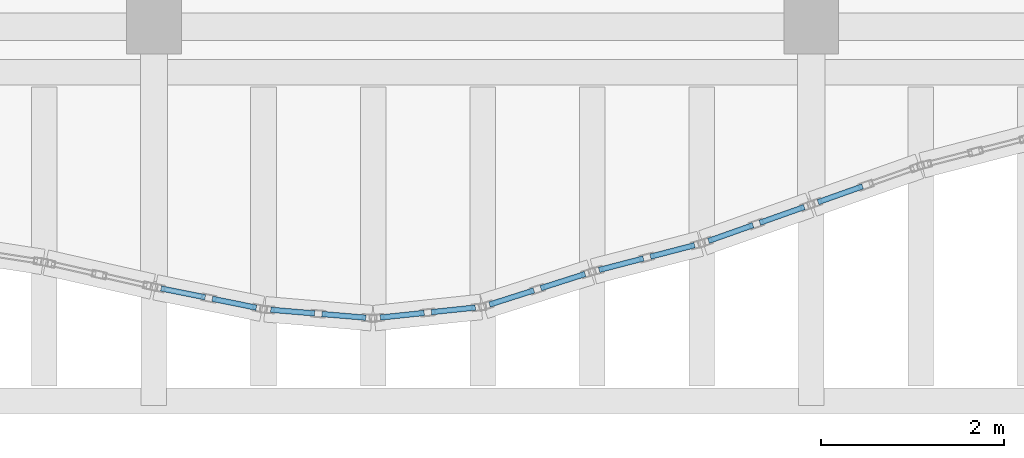
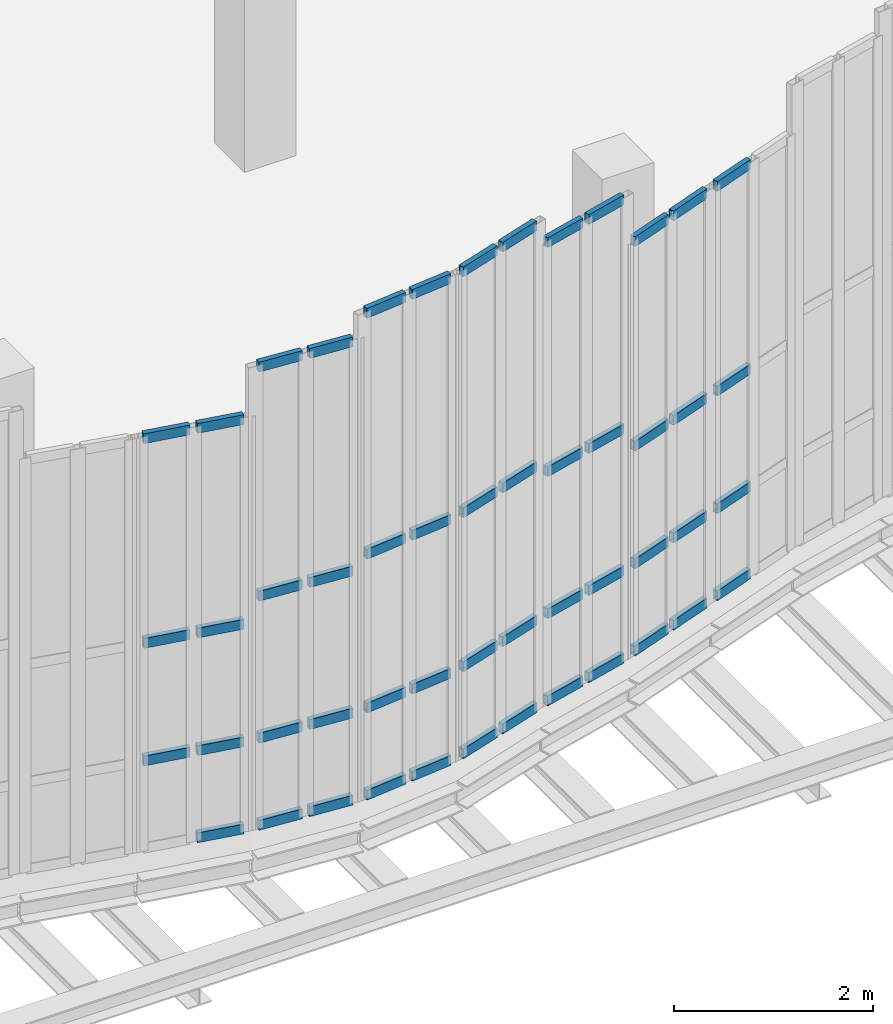
# One storey, part 42 of 76: 51 members, 7 elements without a shape of their own.
"""IFC4 building model written with IfcOpenShell, lengths in metres."""

from ifc_helpers import new_model, si_unit, direction, frame, origin, origin_2d, place, context, subcontext, project, spatial, hollow_rectangle, extrude, material, layer, layer_set, material_profile, profile_set, type_object, element, aggregate, save


model = new_model("IFC4")

# Units and contexts
model_context = context("Model", 3, precision=1e-05, world=origin(), true_north=direction((0.0, 1.0)))
body_context = subcontext(model_context, "Body", "Model", "MODEL_VIEW")
ifc_project = project(units=[si_unit("LENGTHUNIT", "METRE"), si_unit("AREAUNIT", "SQUARE_METRE"), si_unit("VOLUMEUNIT", "CUBIC_METRE"), si_unit("PLANEANGLEUNIT", "RADIAN"), si_unit("MASSUNIT", "GRAM", prefix="KILO"), si_unit("THERMODYNAMICTEMPERATUREUNIT", "KELVIN"), si_unit("POWERUNIT", "WATT")], contexts=[model_context])

# Site, building, storey
site_placement = place(None, origin())
site = spatial("IfcSite", under=ifc_project, at=site_placement, CompositionType="ELEMENT")
building_placement = place(site_placement, origin())
building = spatial("IfcBuilding", under=site, at=building_placement, Name="Kaldorven Railside Theatre", CompositionType="ELEMENT")
storey_placement = place(building_placement, frame((0.0, 0.0, 14.39990234375)))
storey = spatial("IfcBuildingStorey", under=building, at=storey_placement, Name="L03", CompositionType="ELEMENT", Elevation=14.39990234375)

# Curtain wall, members
ifc_material_1 = material(Name="Low-E laminated solar-control glass", Category="glass")
ifc_layer_1 = layer(ifc_material_1, 0.159912109375, Name="Low-E laminated solar-control glass")
ifc_layer_set_1 = layer_set([ifc_layer_1], Name="Low-E laminated solar-control glass")
curtain_wall_type_1 = type_object("IfcCurtainWallType", Name="CWT-20", PredefinedType="USERDEFINED", material=ifc_layer_set_1)
curtain_wall_1_placement = place(storey_placement, origin())
curtain_wall_1 = element("IfcCurtainWall", 1, at=curtain_wall_1_placement, inside=storey, type_object=curtain_wall_type_1, Name="Sinusoidal Fluted Curtain Wall CW-L03-S43", ObjectType="FLUTED GLAZING", PredefinedType="USERDEFINED")
ifc_material_2 = material(Name="Anodised bronze aluminium", Category="aluminium")
ifc_material_profile = material_profile(ifc_material_2, hollow_rectangle(XDim=0.06005859375, YDim=0.1201171875, WallThickness=0.0048828125, at=origin_2d()), Name="RHS 120x60x5")
ifc_profile_set = profile_set([ifc_material_profile], Name="Anodised bronze aluminium")
member_type = type_object("IfcMemberType", Name="CWT-120", PredefinedType="USERDEFINED", material=ifc_profile_set)
member_1_placement = place(storey_placement, frame((87.2783203125, 16.33154296875, 1.10009765625), z_axis=(0.980120145941, -0.198404887842, 0.0), x_axis=(0.198404887842, 0.980120145941, 0.0)))
member_1 = element("IfcMember", 2, at=member_1_placement, type_object=member_type, Name="CW-L03-S43 transom 1.2", ObjectType="TRANSOM", PredefinedType="USERDEFINED", context=body_context, shape_type="SweptSolid", body=[
    extrude(hollow_rectangle(XDim=0.06005859375, YDim=0.1201171875, WallThickness=0.0048828125, at=origin_2d()), origin(), (0.0, 0.0, 1.0), 0.4921875),
])
member_2_placement = place(storey_placement, frame((87.2783203125, 16.33154296875, 2.545166015625), z_axis=(0.980120145941, -0.198404887842, 0.0), x_axis=(0.198404887842, 0.980120145941, 0.0)))
member_2 = element("IfcMember", 3, at=member_2_placement, type_object=member_type, Name="CW-L03-S43 transom 1.3", ObjectType="TRANSOM", PredefinedType="USERDEFINED", context=body_context, shape_type="SweptSolid", body=[
    extrude(hollow_rectangle(XDim=0.06005859375, YDim=0.1201171875, WallThickness=0.0048828125, at=origin_2d()), origin(), (0.0, 0.0, 1.0), 0.4921875),
])
member_3_placement = place(storey_placement, frame((87.2783203125, 16.33154296875, 5.06005859375), z_axis=(0.980120145941, -0.198404887842, 0.0), x_axis=(0.198404887842, 0.980120145941, 0.0)))
member_3 = element("IfcMember", 4, at=member_3_placement, type_object=member_type, Name="CW-L03-S43 transom 1.4", ObjectType="TRANSOM", PredefinedType="USERDEFINED", context=body_context, shape_type="SweptSolid", body=[
    extrude(hollow_rectangle(XDim=0.06005859375, YDim=0.1201171875, WallThickness=0.0048828125, at=origin_2d()), origin(), (0.0, 0.0, 1.0), 0.4921875),
])
member_4_placement = place(storey_placement, frame((87.839111328125, 16.218017578125, 0.030029296875), z_axis=(0.980120145941, -0.198404887842, 0.0), x_axis=(0.198404887842, 0.980120145941, 0.0)))
member_4 = element("IfcMember", 5, at=member_4_placement, type_object=member_type, Name="CW-L03-S43 transom 2.1", ObjectType="TRANSOM", PredefinedType="USERDEFINED", context=body_context, shape_type="SweptSolid", body=[
    extrude(hollow_rectangle(XDim=0.06005859375, YDim=0.1201171875, WallThickness=0.0048828125, at=origin_2d()), origin(), (0.0, 0.0, 1.0), 0.4921875),
])
member_5_placement = place(storey_placement, frame((87.839111328125, 16.218017578125, 1.10009765625), z_axis=(0.980120145941, -0.198404887842, 0.0), x_axis=(0.198404887842, 0.980120145941, 0.0)))
member_5 = element("IfcMember", 6, at=member_5_placement, type_object=member_type, Name="CW-L03-S43 transom 2.2", ObjectType="TRANSOM", PredefinedType="USERDEFINED", context=body_context, shape_type="SweptSolid", body=[
    extrude(hollow_rectangle(XDim=0.06005859375, YDim=0.1201171875, WallThickness=0.0048828125, at=origin_2d()), origin(), (0.0, 0.0, 1.0), 0.4921875),
])
member_6_placement = place(storey_placement, frame((87.839111328125, 16.218017578125, 2.545166015625), z_axis=(0.980120145941, -0.198404887842, 0.0), x_axis=(0.198404887842, 0.980120145941, 0.0)))
member_6 = element("IfcMember", 7, at=member_6_placement, type_object=member_type, Name="CW-L03-S43 transom 2.3", ObjectType="TRANSOM", PredefinedType="USERDEFINED", context=body_context, shape_type="SweptSolid", body=[
    extrude(hollow_rectangle(XDim=0.06005859375, YDim=0.1201171875, WallThickness=0.0048828125, at=origin_2d()), origin(), (0.0, 0.0, 1.0), 0.4921875),
])
member_7_placement = place(storey_placement, frame((87.839111328125, 16.218017578125, 5.06005859375), z_axis=(0.980120145941, -0.198404887842, 0.0), x_axis=(0.198404887842, 0.980120145941, 0.0)))
member_7 = element("IfcMember", 8, at=member_7_placement, type_object=member_type, Name="CW-L03-S43 transom 2.4", ObjectType="TRANSOM", PredefinedType="USERDEFINED", context=body_context, shape_type="SweptSolid", body=[
    extrude(hollow_rectangle(XDim=0.06005859375, YDim=0.1201171875, WallThickness=0.0048828125, at=origin_2d()), origin(), (0.0, 0.0, 1.0), 0.4921875),
])
aggregate(curtain_wall_1, [member_1, member_2, member_3, member_4, member_5, member_6, member_7])

ifc_layer_2 = layer(ifc_material_1, 0.159912109375, Name="Low-E laminated solar-control glass")
ifc_layer_set_2 = layer_set([ifc_layer_2], Name="Low-E laminated solar-control glass")
curtain_wall_type_2 = type_object("IfcCurtainWallType", Name="CWT-21", PredefinedType="USERDEFINED", material=ifc_layer_set_2)
curtain_wall_2_placement = place(storey_placement, origin())
curtain_wall_2 = element("IfcCurtainWall", 9, at=curtain_wall_2_placement, inside=storey, type_object=curtain_wall_type_2, Name="Sinusoidal Fluted Curtain Wall CW-L03-S44", ObjectType="FLUTED GLAZING", PredefinedType="USERDEFINED")
member_8_placement = place(storey_placement, frame((88.479736328125, 16.09765625, 0.030029296875), z_axis=(0.996545758245, -0.083045479854, 0.0), x_axis=(0.083045479854, 0.996545758245, 0.0)))
member_8 = element("IfcMember", 10, at=member_8_placement, type_object=member_type, Name="CW-L03-S44 transom 1.1", ObjectType="TRANSOM", PredefinedType="USERDEFINED", context=body_context, shape_type="SweptSolid", body=[
    extrude(hollow_rectangle(XDim=0.06005859375, YDim=0.1201171875, WallThickness=0.0048828125, at=origin_2d()), origin(), (0.0, 0.0, 1.0), 0.482177734375),
])
member_9_placement = place(storey_placement, frame((88.479736328125, 16.09765625, 1.10009765625), z_axis=(0.996545758245, -0.083045479854, 0.0), x_axis=(0.083045479854, 0.996545758245, 0.0)))
member_9 = element("IfcMember", 11, at=member_9_placement, type_object=member_type, Name="CW-L03-S44 transom 1.2", ObjectType="TRANSOM", PredefinedType="USERDEFINED", context=body_context, shape_type="SweptSolid", body=[
    extrude(hollow_rectangle(XDim=0.06005859375, YDim=0.1201171875, WallThickness=0.0048828125, at=origin_2d()), origin(), (0.0, 0.0, 1.0), 0.482177734375),
])
member_10_placement = place(storey_placement, frame((88.479736328125, 16.09765625, 2.84521484375), z_axis=(0.996545758245, -0.083045479854, 0.0), x_axis=(0.083045479854, 0.996545758245, 0.0)))
member_10 = element("IfcMember", 12, at=member_10_placement, type_object=member_type, Name="CW-L03-S44 transom 1.3", ObjectType="TRANSOM", PredefinedType="USERDEFINED", context=body_context, shape_type="SweptSolid", body=[
    extrude(hollow_rectangle(XDim=0.06005859375, YDim=0.1201171875, WallThickness=0.0048828125, at=origin_2d()), origin(), (0.0, 0.0, 1.0), 0.482177734375),
])
member_11_placement = place(storey_placement, frame((88.479736328125, 16.09765625, 5.66015625), z_axis=(0.996545758245, -0.083045479854, 0.0), x_axis=(0.083045479854, 0.996545758245, 0.0)))
member_11 = element("IfcMember", 13, at=member_11_placement, type_object=member_type, Name="CW-L03-S44 transom 1.4", ObjectType="TRANSOM", PredefinedType="USERDEFINED", context=body_context, shape_type="SweptSolid", body=[
    extrude(hollow_rectangle(XDim=0.06005859375, YDim=0.1201171875, WallThickness=0.0048828125, at=origin_2d()), origin(), (0.0, 0.0, 1.0), 0.482177734375),
])
member_12_placement = place(storey_placement, frame((89.039794921875, 16.051025390625, 0.030029296875), z_axis=(0.996503726253, -0.083548330707, 0.0), x_axis=(0.083548330707, 0.996503726253, 0.0)))
member_12 = element("IfcMember", 14, at=member_12_placement, type_object=member_type, Name="CW-L03-S44 transom 2.1", ObjectType="TRANSOM", PredefinedType="USERDEFINED", context=body_context, shape_type="SweptSolid", body=[
    extrude(hollow_rectangle(XDim=0.06005859375, YDim=0.1201171875, WallThickness=0.0048828125, at=origin_2d()), origin(), (0.0, 0.0, 1.0), 0.482177734375),
])
member_13_placement = place(storey_placement, frame((89.039794921875, 16.051025390625, 1.10009765625), z_axis=(0.996503726253, -0.083548330707, 0.0), x_axis=(0.083548330707, 0.996503726253, 0.0)))
member_13 = element("IfcMember", 15, at=member_13_placement, type_object=member_type, Name="CW-L03-S44 transom 2.2", ObjectType="TRANSOM", PredefinedType="USERDEFINED", context=body_context, shape_type="SweptSolid", body=[
    extrude(hollow_rectangle(XDim=0.06005859375, YDim=0.1201171875, WallThickness=0.0048828125, at=origin_2d()), origin(), (0.0, 0.0, 1.0), 0.482177734375),
])
member_14_placement = place(storey_placement, frame((89.039794921875, 16.051025390625, 2.84521484375), z_axis=(0.996503726253, -0.083548330707, 0.0), x_axis=(0.083548330707, 0.996503726253, 0.0)))
member_14 = element("IfcMember", 16, at=member_14_placement, type_object=member_type, Name="CW-L03-S44 transom 2.3", ObjectType="TRANSOM", PredefinedType="USERDEFINED", context=body_context, shape_type="SweptSolid", body=[
    extrude(hollow_rectangle(XDim=0.06005859375, YDim=0.1201171875, WallThickness=0.0048828125, at=origin_2d()), origin(), (0.0, 0.0, 1.0), 0.482177734375),
])
member_15_placement = place(storey_placement, frame((89.039794921875, 16.051025390625, 5.66015625), z_axis=(0.996503726253, -0.083548330707, 0.0), x_axis=(0.083548330707, 0.996503726253, 0.0)))
member_15 = element("IfcMember", 17, at=member_15_placement, type_object=member_type, Name="CW-L03-S44 transom 2.4", ObjectType="TRANSOM", PredefinedType="USERDEFINED", context=body_context, shape_type="SweptSolid", body=[
    extrude(hollow_rectangle(XDim=0.06005859375, YDim=0.1201171875, WallThickness=0.0048828125, at=origin_2d()), origin(), (0.0, 0.0, 1.0), 0.482177734375),
])
aggregate(curtain_wall_2, [member_8, member_9, member_10, member_11, member_12, member_13, member_14, member_15])

ifc_layer_3 = layer(ifc_material_1, 0.159912109375, Name="Low-E laminated solar-control glass")
ifc_layer_set_3 = layer_set([ifc_layer_3], Name="Low-E laminated solar-control glass")
curtain_wall_type_3 = type_object("IfcCurtainWallType", Name="CWT-10", PredefinedType="USERDEFINED", material=ifc_layer_set_3)
curtain_wall_3_placement = place(storey_placement, origin())
curtain_wall_3 = element("IfcCurtainWall", 18, at=curtain_wall_3_placement, inside=storey, type_object=curtain_wall_type_3, Name="Sinusoidal Fluted Curtain Wall CW-L03-S45", ObjectType="FLUTED GLAZING", PredefinedType="USERDEFINED")
member_16_placement = place(storey_placement, frame((89.679443359375, 16.012451171875, 0.030029296875), z_axis=(0.994519282274, 0.10455332221, 0.0), x_axis=(-0.10455332221, 0.994519282274, 0.0)))
member_16 = element("IfcMember", 19, at=member_16_placement, type_object=member_type, Name="CW-L03-S45 transom 1.1", ObjectType="TRANSOM", PredefinedType="USERDEFINED", context=body_context, shape_type="SweptSolid", body=[
    extrude(hollow_rectangle(XDim=0.06005859375, YDim=0.1201171875, WallThickness=0.0048828125, at=origin_2d()), origin(), (0.0, 0.0, 1.0), 0.4833984375),
])
member_17_placement = place(storey_placement, frame((89.679443359375, 16.012451171875, 1.10009765625), z_axis=(0.994519282274, 0.10455332221, 0.0), x_axis=(-0.10455332221, 0.994519282274, 0.0)))
member_17 = element("IfcMember", 20, at=member_17_placement, type_object=member_type, Name="CW-L03-S45 transom 1.2", ObjectType="TRANSOM", PredefinedType="USERDEFINED", context=body_context, shape_type="SweptSolid", body=[
    extrude(hollow_rectangle(XDim=0.06005859375, YDim=0.1201171875, WallThickness=0.0048828125, at=origin_2d()), origin(), (0.0, 0.0, 1.0), 0.4833984375),
])
member_18_placement = place(storey_placement, frame((89.679443359375, 16.012451171875, 2.989990234375), z_axis=(0.994519282274, 0.10455332221, 0.0), x_axis=(-0.10455332221, 0.994519282274, 0.0)))
member_18 = element("IfcMember", 21, at=member_18_placement, type_object=member_type, Name="CW-L03-S45 transom 1.3", ObjectType="TRANSOM", PredefinedType="USERDEFINED", context=body_context, shape_type="SweptSolid", body=[
    extrude(hollow_rectangle(XDim=0.06005859375, YDim=0.1201171875, WallThickness=0.0048828125, at=origin_2d()), origin(), (0.0, 0.0, 1.0), 0.4833984375),
])
member_19_placement = place(storey_placement, frame((89.679443359375, 16.012451171875, 5.9501953125), z_axis=(0.994519282274, 0.10455332221, 0.0), x_axis=(-0.10455332221, 0.994519282274, 0.0)))
member_19 = element("IfcMember", 22, at=member_19_placement, type_object=member_type, Name="CW-L03-S45 transom 1.4", ObjectType="TRANSOM", PredefinedType="USERDEFINED", context=body_context, shape_type="SweptSolid", body=[
    extrude(hollow_rectangle(XDim=0.06005859375, YDim=0.1201171875, WallThickness=0.0048828125, at=origin_2d()), origin(), (0.0, 0.0, 1.0), 0.4833984375),
])
member_20_placement = place(storey_placement, frame((90.23974609375, 16.071533203125, 0.030029296875), z_axis=(0.994571678809, 0.104053715508, 0.0), x_axis=(-0.104053715508, 0.994571678809, 0.0)))
member_20 = element("IfcMember", 23, at=member_20_placement, type_object=member_type, Name="CW-L03-S45 transom 2.1", ObjectType="TRANSOM", PredefinedType="USERDEFINED", context=body_context, shape_type="SweptSolid", body=[
    extrude(hollow_rectangle(XDim=0.06005859375, YDim=0.1201171875, WallThickness=0.0048828125, at=origin_2d()), origin(), (0.0, 0.0, 1.0), 0.4833984375),
])
member_21_placement = place(storey_placement, frame((90.23974609375, 16.071533203125, 1.10009765625), z_axis=(0.994571678809, 0.104053715508, 0.0), x_axis=(-0.104053715508, 0.994571678809, 0.0)))
member_21 = element("IfcMember", 24, at=member_21_placement, type_object=member_type, Name="CW-L03-S45 transom 2.2", ObjectType="TRANSOM", PredefinedType="USERDEFINED", context=body_context, shape_type="SweptSolid", body=[
    extrude(hollow_rectangle(XDim=0.06005859375, YDim=0.1201171875, WallThickness=0.0048828125, at=origin_2d()), origin(), (0.0, 0.0, 1.0), 0.4833984375),
])
member_22_placement = place(storey_placement, frame((90.23974609375, 16.071533203125, 2.989990234375), z_axis=(0.994571678809, 0.104053715508, 0.0), x_axis=(-0.104053715508, 0.994571678809, 0.0)))
member_22 = element("IfcMember", 25, at=member_22_placement, type_object=member_type, Name="CW-L03-S45 transom 2.3", ObjectType="TRANSOM", PredefinedType="USERDEFINED", context=body_context, shape_type="SweptSolid", body=[
    extrude(hollow_rectangle(XDim=0.06005859375, YDim=0.1201171875, WallThickness=0.0048828125, at=origin_2d()), origin(), (0.0, 0.0, 1.0), 0.4833984375),
])
member_23_placement = place(storey_placement, frame((90.23974609375, 16.071533203125, 5.9501953125), z_axis=(0.994571678809, 0.104053715508, 0.0), x_axis=(-0.104053715508, 0.994571678809, 0.0)))
member_23 = element("IfcMember", 26, at=member_23_placement, type_object=member_type, Name="CW-L03-S45 transom 2.4", ObjectType="TRANSOM", PredefinedType="USERDEFINED", context=body_context, shape_type="SweptSolid", body=[
    extrude(hollow_rectangle(XDim=0.06005859375, YDim=0.1201171875, WallThickness=0.0048828125, at=origin_2d()), origin(), (0.0, 0.0, 1.0), 0.4833984375),
])
aggregate(curtain_wall_3, [member_16, member_17, member_18, member_19, member_20, member_21, member_22, member_23])

ifc_layer_4 = layer(ifc_material_1, 0.159912109375, Name="Low-E laminated solar-control glass")
ifc_layer_set_4 = layer_set([ifc_layer_4], Name="Low-E laminated solar-control glass")
curtain_wall_type_4 = type_object("IfcCurtainWallType", Name="CWT-11", PredefinedType="USERDEFINED", material=ifc_layer_set_4)
curtain_wall_4_placement = place(storey_placement, origin())
curtain_wall_4 = element("IfcCurtainWall", 27, at=curtain_wall_4_placement, inside=storey, type_object=curtain_wall_type_4, Name="Sinusoidal Fluted Curtain Wall CW-L03-S46", ObjectType="FLUTED GLAZING", PredefinedType="USERDEFINED")
member_24_placement = place(storey_placement, frame((90.876220703125, 16.154541015625, 0.030029296875), z_axis=(0.952490847755, 0.304567209237, 0.0), x_axis=(-0.304567209237, 0.952490847755, 0.0)))
member_24 = element("IfcMember", 28, at=member_24_placement, type_object=member_type, Name="CW-L03-S46 transom 1.1", ObjectType="TRANSOM", PredefinedType="USERDEFINED", context=body_context, shape_type="SweptSolid", body=[
    extrude(hollow_rectangle(XDim=0.06005859375, YDim=0.1201171875, WallThickness=0.0048828125, at=origin_2d()), origin(), (0.0, 0.0, 1.0), 0.509765625),
])
member_25_placement = place(storey_placement, frame((90.876220703125, 16.154541015625, 1.10009765625), z_axis=(0.952490847755, 0.304567209237, 0.0), x_axis=(-0.304567209237, 0.952490847755, 0.0)))
member_25 = element("IfcMember", 29, at=member_25_placement, type_object=member_type, Name="CW-L03-S46 transom 1.2", ObjectType="TRANSOM", PredefinedType="USERDEFINED", context=body_context, shape_type="SweptSolid", body=[
    extrude(hollow_rectangle(XDim=0.06005859375, YDim=0.1201171875, WallThickness=0.0048828125, at=origin_2d()), origin(), (0.0, 0.0, 1.0), 0.509765625),
])
member_26_placement = place(storey_placement, frame((90.876220703125, 16.154541015625, 2.989990234375), z_axis=(0.952490847755, 0.304567209237, 0.0), x_axis=(-0.304567209237, 0.952490847755, 0.0)))
member_26 = element("IfcMember", 30, at=member_26_placement, type_object=member_type, Name="CW-L03-S46 transom 1.3", ObjectType="TRANSOM", PredefinedType="USERDEFINED", context=body_context, shape_type="SweptSolid", body=[
    extrude(hollow_rectangle(XDim=0.06005859375, YDim=0.1201171875, WallThickness=0.0048828125, at=origin_2d()), origin(), (0.0, 0.0, 1.0), 0.509765625),
])
member_27_placement = place(storey_placement, frame((90.876220703125, 16.154541015625, 5.9501953125), z_axis=(0.952490847755, 0.304567209237, 0.0), x_axis=(-0.304567209237, 0.952490847755, 0.0)))
member_27 = element("IfcMember", 31, at=member_27_placement, type_object=member_type, Name="CW-L03-S46 transom 1.4", ObjectType="TRANSOM", PredefinedType="USERDEFINED", context=body_context, shape_type="SweptSolid", body=[
    extrude(hollow_rectangle(XDim=0.06005859375, YDim=0.1201171875, WallThickness=0.0048828125, at=origin_2d()), origin(), (0.0, 0.0, 1.0), 0.509765625),
])
member_28_placement = place(storey_placement, frame((91.43798828125, 16.334228515625, 0.030029296875), z_axis=(0.952535238788, 0.304428347673, 0.0), x_axis=(-0.304428347673, 0.952535238788, 0.0)))
member_28 = element("IfcMember", 32, at=member_28_placement, type_object=member_type, Name="CW-L03-S46 transom 2.1", ObjectType="TRANSOM", PredefinedType="USERDEFINED", context=body_context, shape_type="SweptSolid", body=[
    extrude(hollow_rectangle(XDim=0.06005859375, YDim=0.1201171875, WallThickness=0.0048828125, at=origin_2d()), origin(), (0.0, 0.0, 1.0), 0.510009765625),
])
member_29_placement = place(storey_placement, frame((91.43798828125, 16.334228515625, 1.10009765625), z_axis=(0.952535238788, 0.304428347673, 0.0), x_axis=(-0.304428347673, 0.952535238788, 0.0)))
member_29 = element("IfcMember", 33, at=member_29_placement, type_object=member_type, Name="CW-L03-S46 transom 2.2", ObjectType="TRANSOM", PredefinedType="USERDEFINED", context=body_context, shape_type="SweptSolid", body=[
    extrude(hollow_rectangle(XDim=0.06005859375, YDim=0.1201171875, WallThickness=0.0048828125, at=origin_2d()), origin(), (0.0, 0.0, 1.0), 0.510009765625),
])
member_30_placement = place(storey_placement, frame((91.43798828125, 16.334228515625, 2.989990234375), z_axis=(0.952535238788, 0.304428347673, 0.0), x_axis=(-0.304428347673, 0.952535238788, 0.0)))
member_30 = element("IfcMember", 34, at=member_30_placement, type_object=member_type, Name="CW-L03-S46 transom 2.3", ObjectType="TRANSOM", PredefinedType="USERDEFINED", context=body_context, shape_type="SweptSolid", body=[
    extrude(hollow_rectangle(XDim=0.06005859375, YDim=0.1201171875, WallThickness=0.0048828125, at=origin_2d()), origin(), (0.0, 0.0, 1.0), 0.510009765625),
])
member_31_placement = place(storey_placement, frame((91.43798828125, 16.334228515625, 5.9501953125), z_axis=(0.952535238788, 0.304428347673, 0.0), x_axis=(-0.304428347673, 0.952535238788, 0.0)))
member_31 = element("IfcMember", 35, at=member_31_placement, type_object=member_type, Name="CW-L03-S46 transom 2.4", ObjectType="TRANSOM", PredefinedType="USERDEFINED", context=body_context, shape_type="SweptSolid", body=[
    extrude(hollow_rectangle(XDim=0.06005859375, YDim=0.1201171875, WallThickness=0.0048828125, at=origin_2d()), origin(), (0.0, 0.0, 1.0), 0.510009765625),
])
aggregate(curtain_wall_4, [member_24, member_25, member_26, member_27, member_28, member_29, member_30, member_31])

ifc_layer_5 = layer(ifc_material_1, 0.159912109375, Name="Low-E laminated solar-control glass")
ifc_layer_set_5 = layer_set([ifc_layer_5], Name="Low-E laminated solar-control glass")
curtain_wall_type_5 = type_object("IfcCurtainWallType", Name="CWT-09", PredefinedType="USERDEFINED", material=ifc_layer_set_5)
curtain_wall_5_placement = place(storey_placement, origin())
curtain_wall_5 = element("IfcCurtainWall", 36, at=curtain_wall_5_placement, inside=storey, type_object=curtain_wall_type_5, Name="Sinusoidal Fluted Curtain Wall CW-L03-S47", ObjectType="FLUTED GLAZING", PredefinedType="USERDEFINED")
member_32_placement = place(storey_placement, frame((92.077392578125, 16.533935546875, 0.030029296875), z_axis=(0.967979318949, 0.251029954561, 0.0), x_axis=(-0.251029954561, 0.967979318949, 0.0)))
member_32 = element("IfcMember", 37, at=member_32_placement, type_object=member_type, Name="CW-L03-S47 transom 1.1", ObjectType="TRANSOM", PredefinedType="USERDEFINED", context=body_context, shape_type="SweptSolid", body=[
    extrude(hollow_rectangle(XDim=0.06005859375, YDim=0.1201171875, WallThickness=0.0048828125, at=origin_2d()), origin(), (0.0, 0.0, 1.0), 0.5),
])
member_33_placement = place(storey_placement, frame((92.077392578125, 16.533935546875, 1.10009765625), z_axis=(0.967979318949, 0.251029954561, 0.0), x_axis=(-0.251029954561, 0.967979318949, 0.0)))
member_33 = element("IfcMember", 38, at=member_33_placement, type_object=member_type, Name="CW-L03-S47 transom 1.2", ObjectType="TRANSOM", PredefinedType="USERDEFINED", context=body_context, shape_type="SweptSolid", body=[
    extrude(hollow_rectangle(XDim=0.06005859375, YDim=0.1201171875, WallThickness=0.0048828125, at=origin_2d()), origin(), (0.0, 0.0, 1.0), 0.5),
])
member_34_placement = place(storey_placement, frame((92.077392578125, 16.533935546875, 2.84521484375), z_axis=(0.967979318949, 0.251029954561, 0.0), x_axis=(-0.251029954561, 0.967979318949, 0.0)))
member_34 = element("IfcMember", 39, at=member_34_placement, type_object=member_type, Name="CW-L03-S47 transom 1.3", ObjectType="TRANSOM", PredefinedType="USERDEFINED", context=body_context, shape_type="SweptSolid", body=[
    extrude(hollow_rectangle(XDim=0.06005859375, YDim=0.1201171875, WallThickness=0.0048828125, at=origin_2d()), origin(), (0.0, 0.0, 1.0), 0.5),
])
member_35_placement = place(storey_placement, frame((92.077392578125, 16.533935546875, 5.66015625), z_axis=(0.967979318949, 0.251029954561, 0.0), x_axis=(-0.251029954561, 0.967979318949, 0.0)))
member_35 = element("IfcMember", 40, at=member_35_placement, type_object=member_type, Name="CW-L03-S47 transom 1.4", ObjectType="TRANSOM", PredefinedType="USERDEFINED", context=body_context, shape_type="SweptSolid", body=[
    extrude(hollow_rectangle(XDim=0.06005859375, YDim=0.1201171875, WallThickness=0.0048828125, at=origin_2d()), origin(), (0.0, 0.0, 1.0), 0.5),
])
member_36_placement = place(storey_placement, frame((92.638671875, 16.679443359375, 0.030029296875), z_axis=(0.967979318949, 0.251029954561, 0.0), x_axis=(-0.251029954561, 0.967979318949, 0.0)))
member_36 = element("IfcMember", 41, at=member_36_placement, type_object=member_type, Name="CW-L03-S47 transom 2.1", ObjectType="TRANSOM", PredefinedType="USERDEFINED", context=body_context, shape_type="SweptSolid", body=[
    extrude(hollow_rectangle(XDim=0.06005859375, YDim=0.1201171875, WallThickness=0.0048828125, at=origin_2d()), origin(), (0.0, 0.0, 1.0), 0.5),
])
member_37_placement = place(storey_placement, frame((92.638671875, 16.679443359375, 1.10009765625), z_axis=(0.967979318949, 0.251029954561, 0.0), x_axis=(-0.251029954561, 0.967979318949, 0.0)))
member_37 = element("IfcMember", 42, at=member_37_placement, type_object=member_type, Name="CW-L03-S47 transom 2.2", ObjectType="TRANSOM", PredefinedType="USERDEFINED", context=body_context, shape_type="SweptSolid", body=[
    extrude(hollow_rectangle(XDim=0.06005859375, YDim=0.1201171875, WallThickness=0.0048828125, at=origin_2d()), origin(), (0.0, 0.0, 1.0), 0.5),
])
member_38_placement = place(storey_placement, frame((92.638671875, 16.679443359375, 2.84521484375), z_axis=(0.967979318949, 0.251029954561, 0.0), x_axis=(-0.251029954561, 0.967979318949, 0.0)))
member_38 = element("IfcMember", 43, at=member_38_placement, type_object=member_type, Name="CW-L03-S47 transom 2.3", ObjectType="TRANSOM", PredefinedType="USERDEFINED", context=body_context, shape_type="SweptSolid", body=[
    extrude(hollow_rectangle(XDim=0.06005859375, YDim=0.1201171875, WallThickness=0.0048828125, at=origin_2d()), origin(), (0.0, 0.0, 1.0), 0.5),
])
member_39_placement = place(storey_placement, frame((92.638671875, 16.679443359375, 5.66015625), z_axis=(0.967979318949, 0.251029954561, 0.0), x_axis=(-0.251029954561, 0.967979318949, 0.0)))
member_39 = element("IfcMember", 44, at=member_39_placement, type_object=member_type, Name="CW-L03-S47 transom 2.4", ObjectType="TRANSOM", PredefinedType="USERDEFINED", context=body_context, shape_type="SweptSolid", body=[
    extrude(hollow_rectangle(XDim=0.06005859375, YDim=0.1201171875, WallThickness=0.0048828125, at=origin_2d()), origin(), (0.0, 0.0, 1.0), 0.5),
])
aggregate(curtain_wall_5, [member_32, member_33, member_34, member_35, member_36, member_37, member_38, member_39])

ifc_layer_6 = layer(ifc_material_1, 0.159912109375, Name="Low-E laminated solar-control glass")
ifc_layer_set_6 = layer_set([ifc_layer_6], Name="Low-E laminated solar-control glass")
curtain_wall_type_6 = type_object("IfcCurtainWallType", Name="CWT-08", PredefinedType="USERDEFINED", material=ifc_layer_set_6)
curtain_wall_6_placement = place(storey_placement, origin())
curtain_wall_6 = element("IfcCurtainWall", 45, at=curtain_wall_6_placement, inside=storey, type_object=curtain_wall_type_6, Name="Sinusoidal Fluted Curtain Wall CW-L03-S48", ObjectType="FLUTED GLAZING", PredefinedType="USERDEFINED")
member_40_placement = place(storey_placement, frame((93.275390625, 16.851806640625, 0.030029296875), z_axis=(0.942658214948, 0.333759628763, 0.0), x_axis=(-0.333759628763, 0.942658214948, 0.0)))
member_40 = element("IfcMember", 46, at=member_40_placement, type_object=member_type, Name="CW-L03-S48 transom 1.1", ObjectType="TRANSOM", PredefinedType="USERDEFINED", context=body_context, shape_type="SweptSolid", body=[
    extrude(hollow_rectangle(XDim=0.06005859375, YDim=0.1201171875, WallThickness=0.0048828125, at=origin_2d()), origin(), (0.0, 0.0, 1.0), 0.516357421875),
])
member_41_placement = place(storey_placement, frame((93.275390625, 16.851806640625, 1.10009765625), z_axis=(0.942658214948, 0.333759628763, 0.0), x_axis=(-0.333759628763, 0.942658214948, 0.0)))
member_41 = element("IfcMember", 47, at=member_41_placement, type_object=member_type, Name="CW-L03-S48 transom 1.2", ObjectType="TRANSOM", PredefinedType="USERDEFINED", context=body_context, shape_type="SweptSolid", body=[
    extrude(hollow_rectangle(XDim=0.06005859375, YDim=0.1201171875, WallThickness=0.0048828125, at=origin_2d()), origin(), (0.0, 0.0, 1.0), 0.516357421875),
])
member_42_placement = place(storey_placement, frame((93.275390625, 16.851806640625, 2.545166015625), z_axis=(0.942658214948, 0.333759628763, 0.0), x_axis=(-0.333759628763, 0.942658214948, 0.0)))
member_42 = element("IfcMember", 48, at=member_42_placement, type_object=member_type, Name="CW-L03-S48 transom 1.3", ObjectType="TRANSOM", PredefinedType="USERDEFINED", context=body_context, shape_type="SweptSolid", body=[
    extrude(hollow_rectangle(XDim=0.06005859375, YDim=0.1201171875, WallThickness=0.0048828125, at=origin_2d()), origin(), (0.0, 0.0, 1.0), 0.516357421875),
])
member_43_placement = place(storey_placement, frame((93.275390625, 16.851806640625, 5.06005859375), z_axis=(0.942658214948, 0.333759628763, 0.0), x_axis=(-0.333759628763, 0.942658214948, 0.0)))
member_43 = element("IfcMember", 49, at=member_43_placement, type_object=member_type, Name="CW-L03-S48 transom 1.4", ObjectType="TRANSOM", PredefinedType="USERDEFINED", context=body_context, shape_type="SweptSolid", body=[
    extrude(hollow_rectangle(XDim=0.06005859375, YDim=0.1201171875, WallThickness=0.0048828125, at=origin_2d()), origin(), (0.0, 0.0, 1.0), 0.516357421875),
])
member_44_placement = place(storey_placement, frame((93.837646484375, 17.05078125, 0.030029296875), z_axis=(0.94256215944, 0.334030800363, 0.0), x_axis=(-0.334030800363, 0.94256215944, 0.0)))
member_44 = element("IfcMember", 50, at=member_44_placement, type_object=member_type, Name="CW-L03-S48 transom 2.1", ObjectType="TRANSOM", PredefinedType="USERDEFINED", context=body_context, shape_type="SweptSolid", body=[
    extrude(hollow_rectangle(XDim=0.06005859375, YDim=0.1201171875, WallThickness=0.0048828125, at=origin_2d()), origin(), (0.0, 0.0, 1.0), 0.516845703125),
])
member_45_placement = place(storey_placement, frame((93.837646484375, 17.05078125, 1.10009765625), z_axis=(0.94256215944, 0.334030800363, 0.0), x_axis=(-0.334030800363, 0.94256215944, 0.0)))
member_45 = element("IfcMember", 51, at=member_45_placement, type_object=member_type, Name="CW-L03-S48 transom 2.2", ObjectType="TRANSOM", PredefinedType="USERDEFINED", context=body_context, shape_type="SweptSolid", body=[
    extrude(hollow_rectangle(XDim=0.06005859375, YDim=0.1201171875, WallThickness=0.0048828125, at=origin_2d()), origin(), (0.0, 0.0, 1.0), 0.516845703125),
])
member_46_placement = place(storey_placement, frame((93.837646484375, 17.05078125, 2.545166015625), z_axis=(0.94256215944, 0.334030800363, 0.0), x_axis=(-0.334030800363, 0.94256215944, 0.0)))
member_46 = element("IfcMember", 52, at=member_46_placement, type_object=member_type, Name="CW-L03-S48 transom 2.3", ObjectType="TRANSOM", PredefinedType="USERDEFINED", context=body_context, shape_type="SweptSolid", body=[
    extrude(hollow_rectangle(XDim=0.06005859375, YDim=0.1201171875, WallThickness=0.0048828125, at=origin_2d()), origin(), (0.0, 0.0, 1.0), 0.516845703125),
])
member_47_placement = place(storey_placement, frame((93.837646484375, 17.05078125, 5.06005859375), z_axis=(0.94256215944, 0.334030800363, 0.0), x_axis=(-0.334030800363, 0.94256215944, 0.0)))
member_47 = element("IfcMember", 53, at=member_47_placement, type_object=member_type, Name="CW-L03-S48 transom 2.4", ObjectType="TRANSOM", PredefinedType="USERDEFINED", context=body_context, shape_type="SweptSolid", body=[
    extrude(hollow_rectangle(XDim=0.06005859375, YDim=0.1201171875, WallThickness=0.0048828125, at=origin_2d()), origin(), (0.0, 0.0, 1.0), 0.516845703125),
])
aggregate(curtain_wall_6, [member_40, member_41, member_42, member_43, member_44, member_45, member_46, member_47])

curtain_wall_7_placement = place(storey_placement, origin())
curtain_wall_7 = element("IfcCurtainWall", 54, at=curtain_wall_7_placement, inside=storey, type_object=curtain_wall_type_6, Name="Sinusoidal Fluted Curtain Wall CW-L03-S49", ObjectType="FLUTED GLAZING", PredefinedType="USERDEFINED")
member_48_placement = place(storey_placement, frame((94.475341796875, 17.276611328125, 0.030029296875), z_axis=(0.94256215944, 0.334030800363, 0.0), x_axis=(-0.334030800363, 0.94256215944, 0.0)))
member_48 = element("IfcMember", 55, at=member_48_placement, type_object=member_type, Name="CW-L03-S49 transom 1.1", ObjectType="TRANSOM", PredefinedType="USERDEFINED", context=body_context, shape_type="SweptSolid", body=[
    extrude(hollow_rectangle(XDim=0.06005859375, YDim=0.1201171875, WallThickness=0.0048828125, at=origin_2d()), origin(), (0.0, 0.0, 1.0), 0.516845703125),
])
member_49_placement = place(storey_placement, frame((94.475341796875, 17.276611328125, 1.10009765625), z_axis=(0.94256215944, 0.334030800363, 0.0), x_axis=(-0.334030800363, 0.94256215944, 0.0)))
member_49 = element("IfcMember", 56, at=member_49_placement, type_object=member_type, Name="CW-L03-S49 transom 1.2", ObjectType="TRANSOM", PredefinedType="USERDEFINED", context=body_context, shape_type="SweptSolid", body=[
    extrude(hollow_rectangle(XDim=0.06005859375, YDim=0.1201171875, WallThickness=0.0048828125, at=origin_2d()), origin(), (0.0, 0.0, 1.0), 0.516845703125),
])
member_50_placement = place(storey_placement, frame((94.475341796875, 17.276611328125, 2.545166015625), z_axis=(0.94256215944, 0.334030800363, 0.0), x_axis=(-0.334030800363, 0.94256215944, 0.0)))
member_50 = element("IfcMember", 57, at=member_50_placement, type_object=member_type, Name="CW-L03-S49 transom 1.3", ObjectType="TRANSOM", PredefinedType="USERDEFINED", context=body_context, shape_type="SweptSolid", body=[
    extrude(hollow_rectangle(XDim=0.06005859375, YDim=0.1201171875, WallThickness=0.0048828125, at=origin_2d()), origin(), (0.0, 0.0, 1.0), 0.516845703125),
])
member_51_placement = place(storey_placement, frame((94.475341796875, 17.276611328125, 5.06005859375), z_axis=(0.94256215944, 0.334030800363, 0.0), x_axis=(-0.334030800363, 0.94256215944, 0.0)))
member_51 = element("IfcMember", 58, at=member_51_placement, type_object=member_type, Name="CW-L03-S49 transom 1.4", ObjectType="TRANSOM", PredefinedType="USERDEFINED", context=body_context, shape_type="SweptSolid", body=[
    extrude(hollow_rectangle(XDim=0.06005859375, YDim=0.1201171875, WallThickness=0.0048828125, at=origin_2d()), origin(), (0.0, 0.0, 1.0), 0.516845703125),
])
aggregate(curtain_wall_7, [member_48, member_49, member_50, member_51])

save(model, "model.ifc")
